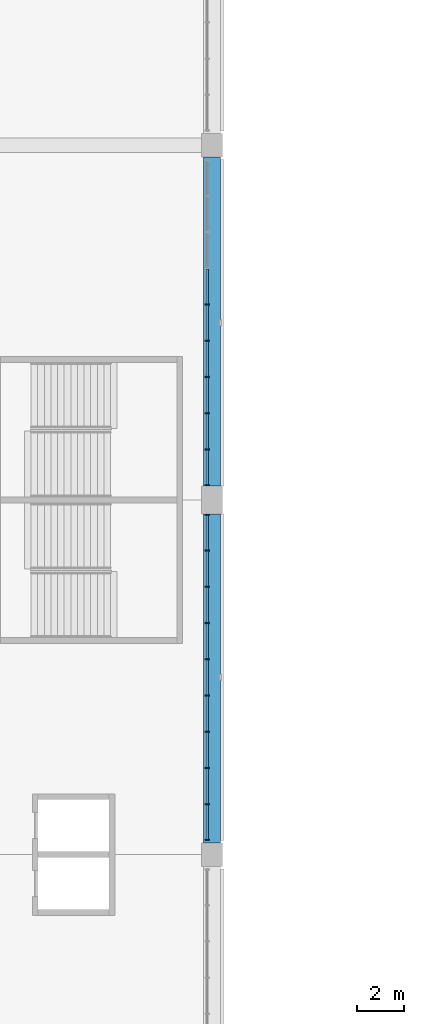
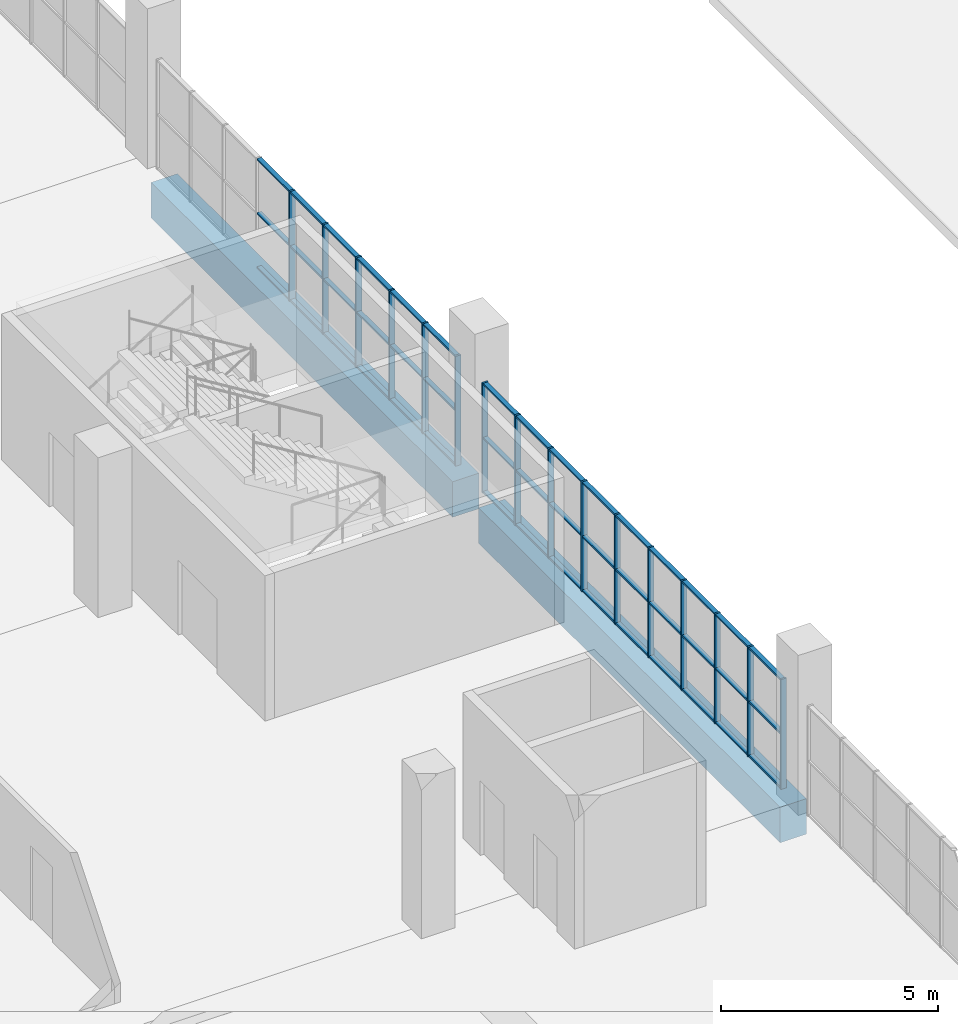
# One storey, part 32 of 199: 61 members, 2 beams, 2 elements without a shape of their own.
"""IFC4 building model written with IfcOpenShell, lengths in metres."""

from ifc_helpers import new_model, si_unit, direction, frame, origin, origin_2d, place, context, subcontext, project, spatial, rectangle, extrude, material, material_profile, profile_set, type_object, element, aggregate, save


model = new_model("IFC4")

# Units and contexts
model_context = context("Model", 3, precision=1e-05, world=origin(), true_north=direction((0.0, 1.0)))
body_context = subcontext(model_context, "Body", "Model", "MODEL_VIEW")
ifc_project = project(units=[si_unit("LENGTHUNIT", "METRE"), si_unit("AREAUNIT", "SQUARE_METRE"), si_unit("VOLUMEUNIT", "CUBIC_METRE"), si_unit("PLANEANGLEUNIT", "RADIAN"), si_unit("MASSUNIT", "GRAM", prefix="KILO")], contexts=[model_context])

# Site, building, storey
site_placement = place(None, origin())
site = spatial("IfcSite", under=ifc_project, at=site_placement, CompositionType="ELEMENT")
building_placement = place(site_placement, origin())
building = spatial("IfcBuilding", under=site, at=building_placement, Name="Ogive Plaza Stadium", CompositionType="ELEMENT")
storey_placement = place(building_placement, frame((0.0, 0.0, 4.5)))
storey = spatial("IfcBuildingStorey", under=building, at=storey_placement, Name="L01", CompositionType="ELEMENT", Elevation=4.5)

# Curtain wall, members
ifc_material_1 = material(Name="Bronze-anodised aluminium with laminated glass", Category="aluminium")
curtain_wall_type = type_object("IfcCurtainWallType", Name="Lancet curtain wall", PredefinedType="NOTDEFINED", material=ifc_material_1)
curtain_wall_1_placement = place(storey_placement, origin())
curtain_wall_1 = element("IfcCurtainWall", 1, at=curtain_wall_1_placement, inside=storey, type_object=curtain_wall_type, Name="CURTAIN WALL B03 L01", PredefinedType="NOTDEFINED")
ifc_material_2 = material(Name="Bronze-anodised aluminium", Category="aluminium")
ifc_material_profile_1 = material_profile(ifc_material_2, rectangle(XDim=0.14990234375, YDim=0.050048828125, at=origin_2d()), Name="AL 150x50")
ifc_profile_set_1 = profile_set([ifc_material_profile_1], Name="Bronze-anodised aluminium")
member_type_1 = type_object("IfcMemberType", Name="Curtain wall mullion 50x150", PredefinedType="MULLION", material=ifc_profile_set_1)
member_1_placement = place(storey_placement, frame((83.800048828125, 15.7666015625, 0.0), z_axis=(0.0, 0.0, 1.0), x_axis=(1.0, 0.0, 0.0)))
member_1 = element("IfcMember", 2, at=member_1_placement, type_object=member_type_1, Name="CW-B03-L01 mullion 5", PredefinedType="MULLION", context=body_context, shape_type="SweptSolid", body=[
    extrude(rectangle(XDim=0.14990234375, YDim=0.050048828125, at=origin_2d()), origin(), (0.0, 0.0, 1.0), 3.090087890625),
])
member_2_placement = place(storey_placement, frame((83.800048828125, 14.2333984375, 0.0), z_axis=(0.0, 0.0, 1.0), x_axis=(1.0, 0.0, 0.0)))
member_2 = element("IfcMember", 3, at=member_2_placement, type_object=member_type_1, Name="CW-B03-L01 mullion 6", PredefinedType="MULLION", context=body_context, shape_type="SweptSolid", body=[
    extrude(rectangle(XDim=0.14990234375, YDim=0.050048828125, at=origin_2d()), origin(), (0.0, 0.0, 1.0), 3.090087890625),
])
member_3_placement = place(storey_placement, frame((83.800048828125, 12.699951171875, 0.0), z_axis=(0.0, 0.0, 1.0), x_axis=(1.0, 0.0, 0.0)))
member_3 = element("IfcMember", 4, at=member_3_placement, type_object=member_type_1, Name="CW-B03-L01 mullion 7", PredefinedType="MULLION", context=body_context, shape_type="SweptSolid", body=[
    extrude(rectangle(XDim=0.14990234375, YDim=0.050048828125, at=origin_2d()), origin(), (0.0, 0.0, 1.0), 3.090087890625),
])
member_4_placement = place(storey_placement, frame((83.800048828125, 11.166748046875, 0.0), z_axis=(0.0, 0.0, 1.0), x_axis=(1.0, 0.0, 0.0)))
member_4 = element("IfcMember", 5, at=member_4_placement, type_object=member_type_1, Name="CW-B03-L01 mullion 8", PredefinedType="MULLION", context=body_context, shape_type="SweptSolid", body=[
    extrude(rectangle(XDim=0.14990234375, YDim=0.050048828125, at=origin_2d()), origin(), (0.0, 0.0, 1.0), 3.090087890625),
])
member_5_placement = place(storey_placement, frame((83.800048828125, 9.63330078125, 0.0), z_axis=(0.0, 0.0, 1.0), x_axis=(1.0, 0.0, 0.0)))
member_5 = element("IfcMember", 6, at=member_5_placement, type_object=member_type_1, Name="CW-B03-L01 mullion 9", PredefinedType="MULLION", context=body_context, shape_type="SweptSolid", body=[
    extrude(rectangle(XDim=0.14990234375, YDim=0.050048828125, at=origin_2d()), origin(), (0.0, 0.0, 1.0), 3.090087890625),
])
member_6_placement = place(storey_placement, frame((83.800048828125, 8.125, 0.0), z_axis=(0.0, 0.0, 1.0), x_axis=(1.0, 0.0, 0.0)))
member_6 = element("IfcMember", 7, at=member_6_placement, type_object=member_type_1, Name="CW-B03-L01 mullion 10", PredefinedType="MULLION", context=body_context, shape_type="SweptSolid", body=[
    extrude(rectangle(XDim=0.14990234375, YDim=0.050048828125, at=origin_2d()), origin(), (0.0, 0.0, 1.0), 3.090087890625),
])

curtain_wall_2_placement = place(storey_placement, origin())
curtain_wall_2 = element("IfcCurtainWall", 8, at=curtain_wall_2_placement, inside=storey, type_object=curtain_wall_type, Name="CURTAIN WALL B04 L01", PredefinedType="NOTDEFINED")
member_7_placement = place(storey_placement, frame((83.800048828125, 6.875, 0.0), z_axis=(0.0, 0.0, 1.0), x_axis=(1.0, 0.0, 0.0)))
member_7 = element("IfcMember", 9, at=member_7_placement, type_object=member_type_1, Name="CW-B04-L01 mullion 1", PredefinedType="MULLION", context=body_context, shape_type="SweptSolid", body=[
    extrude(rectangle(XDim=0.14990234375, YDim=0.050048828125, at=origin_2d()), origin(), (0.0, 0.0, 1.0), 3.090087890625),
])
member_8_placement = place(storey_placement, frame((83.800048828125, 5.36669921875, 0.0), z_axis=(0.0, 0.0, 1.0), x_axis=(1.0, 0.0, 0.0)))
member_8 = element("IfcMember", 10, at=member_8_placement, type_object=member_type_1, Name="CW-B04-L01 mullion 2", PredefinedType="MULLION", context=body_context, shape_type="SweptSolid", body=[
    extrude(rectangle(XDim=0.14990234375, YDim=0.050048828125, at=origin_2d()), origin(), (0.0, 0.0, 1.0), 3.090087890625),
])
member_9_placement = place(storey_placement, frame((83.800048828125, 3.833251953125, 0.0), z_axis=(0.0, 0.0, 1.0), x_axis=(1.0, 0.0, 0.0)))
member_9 = element("IfcMember", 11, at=member_9_placement, type_object=member_type_1, Name="CW-B04-L01 mullion 3", PredefinedType="MULLION", context=body_context, shape_type="SweptSolid", body=[
    extrude(rectangle(XDim=0.14990234375, YDim=0.050048828125, at=origin_2d()), origin(), (0.0, 0.0, 1.0), 3.090087890625),
])
member_10_placement = place(storey_placement, frame((83.800048828125, 2.300048828125, 0.0), z_axis=(0.0, 0.0, 1.0), x_axis=(1.0, 0.0, 0.0)))
member_10 = element("IfcMember", 12, at=member_10_placement, type_object=member_type_1, Name="CW-B04-L01 mullion 4", PredefinedType="MULLION", context=body_context, shape_type="SweptSolid", body=[
    extrude(rectangle(XDim=0.14990234375, YDim=0.050048828125, at=origin_2d()), origin(), (0.0, 0.0, 1.0), 3.090087890625),
])
member_11_placement = place(storey_placement, frame((83.800048828125, 0.7666015625, 0.0), z_axis=(0.0, 0.0, 1.0), x_axis=(1.0, 0.0, 0.0)))
member_11 = element("IfcMember", 13, at=member_11_placement, type_object=member_type_1, Name="CW-B04-L01 mullion 5", PredefinedType="MULLION", context=body_context, shape_type="SweptSolid", body=[
    extrude(rectangle(XDim=0.14990234375, YDim=0.050048828125, at=origin_2d()), origin(), (0.0, 0.0, 1.0), 3.090087890625),
])
member_12_placement = place(storey_placement, frame((83.800048828125, -0.7666015625, 0.0), z_axis=(0.0, 0.0, 1.0), x_axis=(1.0, 0.0, 0.0)))
member_12 = element("IfcMember", 14, at=member_12_placement, type_object=member_type_1, Name="CW-B04-L01 mullion 6", PredefinedType="MULLION", context=body_context, shape_type="SweptSolid", body=[
    extrude(rectangle(XDim=0.14990234375, YDim=0.050048828125, at=origin_2d()), origin(), (0.0, 0.0, 1.0), 3.090087890625),
])
member_13_placement = place(storey_placement, frame((83.800048828125, -2.300048828125, 0.0), z_axis=(0.0, 0.0, 1.0), x_axis=(1.0, 0.0, 0.0)))
member_13 = element("IfcMember", 15, at=member_13_placement, type_object=member_type_1, Name="CW-B04-L01 mullion 7", PredefinedType="MULLION", context=body_context, shape_type="SweptSolid", body=[
    extrude(rectangle(XDim=0.14990234375, YDim=0.050048828125, at=origin_2d()), origin(), (0.0, 0.0, 1.0), 3.090087890625),
])
member_14_placement = place(storey_placement, frame((83.800048828125, -3.833251953125, 0.0), z_axis=(0.0, 0.0, 1.0), x_axis=(1.0, 0.0, 0.0)))
member_14 = element("IfcMember", 16, at=member_14_placement, type_object=member_type_1, Name="CW-B04-L01 mullion 8", PredefinedType="MULLION", context=body_context, shape_type="SweptSolid", body=[
    extrude(rectangle(XDim=0.14990234375, YDim=0.050048828125, at=origin_2d()), origin(), (0.0, 0.0, 1.0), 3.090087890625),
])
member_15_placement = place(storey_placement, frame((83.800048828125, -5.36669921875, 0.0), z_axis=(0.0, 0.0, 1.0), x_axis=(1.0, 0.0, 0.0)))
member_15 = element("IfcMember", 17, at=member_15_placement, type_object=member_type_1, Name="CW-B04-L01 mullion 9", PredefinedType="MULLION", context=body_context, shape_type="SweptSolid", body=[
    extrude(rectangle(XDim=0.14990234375, YDim=0.050048828125, at=origin_2d()), origin(), (0.0, 0.0, 1.0), 3.090087890625),
])
member_16_placement = place(storey_placement, frame((83.800048828125, -6.875, 0.0), z_axis=(0.0, 0.0, 1.0), x_axis=(1.0, 0.0, 0.0)))
member_16 = element("IfcMember", 18, at=member_16_placement, type_object=member_type_1, Name="CW-B04-L01 mullion 10", PredefinedType="MULLION", context=body_context, shape_type="SweptSolid", body=[
    extrude(rectangle(XDim=0.14990234375, YDim=0.050048828125, at=origin_2d()), origin(), (0.0, 0.0, 1.0), 3.090087890625),
])

# Member
ifc_material_3 = material(Name="Bronze-anodised aluminium", Category="aluminium")
ifc_material_profile_2 = material_profile(ifc_material_3, rectangle(XDim=0.1201171875, YDim=0.050048828125, at=origin_2d()), Name="AL 120x50")
ifc_profile_set_2 = profile_set([ifc_material_profile_2], Name="Bronze-anodised aluminium")
member_type_2 = type_object("IfcMemberType", Name="Curtain wall transom 50x120", PredefinedType="USERDEFINED", material=ifc_profile_set_2)
member_17_placement = place(storey_placement, frame((83.800048828125, 17.27490234375, 0.02490234375), z_axis=(0.0, -1.0, 0.0), x_axis=(1.0, 0.0, 0.0)))
member_17 = element("IfcMember", 19, at=member_17_placement, type_object=member_type_2, Name="CW-B03-L01 transom 4.1", ObjectType="TRANSOM", PredefinedType="USERDEFINED", context=body_context, shape_type="SweptSolid", body=[
    extrude(rectangle(XDim=0.1201171875, YDim=0.050048828125, at=origin_2d()), origin(), (0.0, 0.0, 1.0), 1.483154296875),
])

member_18_placement = place(storey_placement, frame((83.800048828125, 17.27490234375, 1.544921875), z_axis=(0.0, -1.0, 0.0), x_axis=(1.0, 0.0, 0.0)))
member_18 = element("IfcMember", 20, at=member_18_placement, type_object=member_type_2, Name="CW-B03-L01 transom 4.2", ObjectType="TRANSOM", PredefinedType="USERDEFINED", context=body_context, shape_type="SweptSolid", body=[
    extrude(rectangle(XDim=0.1201171875, YDim=0.050048828125, at=origin_2d()), origin(), (0.0, 0.0, 1.0), 1.483154296875),
])

member_19_placement = place(storey_placement, frame((83.800048828125, 17.27490234375, 3.06494140625), z_axis=(0.0, -1.0, 0.0), x_axis=(1.0, 0.0, 0.0)))
member_19 = element("IfcMember", 21, at=member_19_placement, type_object=member_type_2, Name="CW-B03-L01 transom 4.3", ObjectType="TRANSOM", PredefinedType="USERDEFINED", context=body_context, shape_type="SweptSolid", body=[
    extrude(rectangle(XDim=0.1201171875, YDim=0.050048828125, at=origin_2d()), origin(), (0.0, 0.0, 1.0), 1.483154296875),
])

member_20_placement = place(storey_placement, frame((83.800048828125, 15.74169921875, 0.02490234375), z_axis=(0.0, -1.0, 0.0), x_axis=(1.0, 0.0, 0.0)))
member_20 = element("IfcMember", 22, at=member_20_placement, type_object=member_type_2, Name="CW-B03-L01 transom 5.1", ObjectType="TRANSOM", PredefinedType="USERDEFINED", context=body_context, shape_type="SweptSolid", body=[
    extrude(rectangle(XDim=0.1201171875, YDim=0.050048828125, at=origin_2d()), origin(), (0.0, 0.0, 1.0), 1.4833984375),
])

member_21_placement = place(storey_placement, frame((83.800048828125, 15.74169921875, 1.544921875), z_axis=(0.0, -1.0, 0.0), x_axis=(1.0, 0.0, 0.0)))
member_21 = element("IfcMember", 23, at=member_21_placement, type_object=member_type_2, Name="CW-B03-L01 transom 5.2", ObjectType="TRANSOM", PredefinedType="USERDEFINED", context=body_context, shape_type="SweptSolid", body=[
    extrude(rectangle(XDim=0.1201171875, YDim=0.050048828125, at=origin_2d()), origin(), (0.0, 0.0, 1.0), 1.4833984375),
])

member_22_placement = place(storey_placement, frame((83.800048828125, 15.74169921875, 3.06494140625), z_axis=(0.0, -1.0, 0.0), x_axis=(1.0, 0.0, 0.0)))
member_22 = element("IfcMember", 24, at=member_22_placement, type_object=member_type_2, Name="CW-B03-L01 transom 5.3", ObjectType="TRANSOM", PredefinedType="USERDEFINED", context=body_context, shape_type="SweptSolid", body=[
    extrude(rectangle(XDim=0.1201171875, YDim=0.050048828125, at=origin_2d()), origin(), (0.0, 0.0, 1.0), 1.4833984375),
])

member_23_placement = place(storey_placement, frame((83.800048828125, 14.208251953125, 0.02490234375), z_axis=(0.0, -1.0, 0.0), x_axis=(1.0, 0.0, 0.0)))
member_23 = element("IfcMember", 25, at=member_23_placement, type_object=member_type_2, Name="CW-B03-L01 transom 6.1", ObjectType="TRANSOM", PredefinedType="USERDEFINED", context=body_context, shape_type="SweptSolid", body=[
    extrude(rectangle(XDim=0.1201171875, YDim=0.050048828125, at=origin_2d()), origin(), (0.0, 0.0, 1.0), 1.483154296875),
])

member_24_placement = place(storey_placement, frame((83.800048828125, 14.208251953125, 1.544921875), z_axis=(0.0, -1.0, 0.0), x_axis=(1.0, 0.0, 0.0)))
member_24 = element("IfcMember", 26, at=member_24_placement, type_object=member_type_2, Name="CW-B03-L01 transom 6.2", ObjectType="TRANSOM", PredefinedType="USERDEFINED", context=body_context, shape_type="SweptSolid", body=[
    extrude(rectangle(XDim=0.1201171875, YDim=0.050048828125, at=origin_2d()), origin(), (0.0, 0.0, 1.0), 1.483154296875),
])

member_25_placement = place(storey_placement, frame((83.800048828125, 14.208251953125, 3.06494140625), z_axis=(0.0, -1.0, 0.0), x_axis=(1.0, 0.0, 0.0)))
member_25 = element("IfcMember", 27, at=member_25_placement, type_object=member_type_2, Name="CW-B03-L01 transom 6.3", ObjectType="TRANSOM", PredefinedType="USERDEFINED", context=body_context, shape_type="SweptSolid", body=[
    extrude(rectangle(XDim=0.1201171875, YDim=0.050048828125, at=origin_2d()), origin(), (0.0, 0.0, 1.0), 1.483154296875),
])

member_26_placement = place(storey_placement, frame((83.800048828125, 12.675048828125, 0.02490234375), z_axis=(0.0, -1.0, 0.0), x_axis=(1.0, 0.0, 0.0)))
member_26 = element("IfcMember", 28, at=member_26_placement, type_object=member_type_2, Name="CW-B03-L01 transom 7.1", ObjectType="TRANSOM", PredefinedType="USERDEFINED", context=body_context, shape_type="SweptSolid", body=[
    extrude(rectangle(XDim=0.1201171875, YDim=0.050048828125, at=origin_2d()), origin(), (0.0, 0.0, 1.0), 1.4833984375),
])

member_27_placement = place(storey_placement, frame((83.800048828125, 12.675048828125, 1.544921875), z_axis=(0.0, -1.0, 0.0), x_axis=(1.0, 0.0, 0.0)))
member_27 = element("IfcMember", 29, at=member_27_placement, type_object=member_type_2, Name="CW-B03-L01 transom 7.2", ObjectType="TRANSOM", PredefinedType="USERDEFINED", context=body_context, shape_type="SweptSolid", body=[
    extrude(rectangle(XDim=0.1201171875, YDim=0.050048828125, at=origin_2d()), origin(), (0.0, 0.0, 1.0), 1.4833984375),
])

member_28_placement = place(storey_placement, frame((83.800048828125, 12.675048828125, 3.06494140625), z_axis=(0.0, -1.0, 0.0), x_axis=(1.0, 0.0, 0.0)))
member_28 = element("IfcMember", 30, at=member_28_placement, type_object=member_type_2, Name="CW-B03-L01 transom 7.3", ObjectType="TRANSOM", PredefinedType="USERDEFINED", context=body_context, shape_type="SweptSolid", body=[
    extrude(rectangle(XDim=0.1201171875, YDim=0.050048828125, at=origin_2d()), origin(), (0.0, 0.0, 1.0), 1.4833984375),
])

member_29_placement = place(storey_placement, frame((83.800048828125, 11.1416015625, 0.02490234375), z_axis=(0.0, -1.0, 0.0), x_axis=(1.0, 0.0, 0.0)))
member_29 = element("IfcMember", 31, at=member_29_placement, type_object=member_type_2, Name="CW-B03-L01 transom 8.1", ObjectType="TRANSOM", PredefinedType="USERDEFINED", context=body_context, shape_type="SweptSolid", body=[
    extrude(rectangle(XDim=0.1201171875, YDim=0.050048828125, at=origin_2d()), origin(), (0.0, 0.0, 1.0), 1.483154296875),
])

member_30_placement = place(storey_placement, frame((83.800048828125, 11.1416015625, 1.544921875), z_axis=(0.0, -1.0, 0.0), x_axis=(1.0, 0.0, 0.0)))
member_30 = element("IfcMember", 32, at=member_30_placement, type_object=member_type_2, Name="CW-B03-L01 transom 8.2", ObjectType="TRANSOM", PredefinedType="USERDEFINED", context=body_context, shape_type="SweptSolid", body=[
    extrude(rectangle(XDim=0.1201171875, YDim=0.050048828125, at=origin_2d()), origin(), (0.0, 0.0, 1.0), 1.483154296875),
])

member_31_placement = place(storey_placement, frame((83.800048828125, 11.1416015625, 3.06494140625), z_axis=(0.0, -1.0, 0.0), x_axis=(1.0, 0.0, 0.0)))
member_31 = element("IfcMember", 33, at=member_31_placement, type_object=member_type_2, Name="CW-B03-L01 transom 8.3", ObjectType="TRANSOM", PredefinedType="USERDEFINED", context=body_context, shape_type="SweptSolid", body=[
    extrude(rectangle(XDim=0.1201171875, YDim=0.050048828125, at=origin_2d()), origin(), (0.0, 0.0, 1.0), 1.483154296875),
])

member_32_placement = place(storey_placement, frame((83.800048828125, 9.6083984375, 0.02490234375), z_axis=(0.0, -1.0, 0.0), x_axis=(1.0, 0.0, 0.0)))
member_32 = element("IfcMember", 34, at=member_32_placement, type_object=member_type_2, Name="CW-B03-L01 transom 9.1", ObjectType="TRANSOM", PredefinedType="USERDEFINED", context=body_context, shape_type="SweptSolid", body=[
    extrude(rectangle(XDim=0.1201171875, YDim=0.050048828125, at=origin_2d()), origin(), (0.0, 0.0, 1.0), 1.45849609375),
])

member_33_placement = place(storey_placement, frame((83.800048828125, 9.6083984375, 1.544921875), z_axis=(0.0, -1.0, 0.0), x_axis=(1.0, 0.0, 0.0)))
member_33 = element("IfcMember", 35, at=member_33_placement, type_object=member_type_2, Name="CW-B03-L01 transom 9.2", ObjectType="TRANSOM", PredefinedType="USERDEFINED", context=body_context, shape_type="SweptSolid", body=[
    extrude(rectangle(XDim=0.1201171875, YDim=0.050048828125, at=origin_2d()), origin(), (0.0, 0.0, 1.0), 1.45849609375),
])

member_34_placement = place(storey_placement, frame((83.800048828125, 9.6083984375, 3.06494140625), z_axis=(0.0, -1.0, 0.0), x_axis=(1.0, 0.0, 0.0)))
member_34 = element("IfcMember", 36, at=member_34_placement, type_object=member_type_2, Name="CW-B03-L01 transom 9.3", ObjectType="TRANSOM", PredefinedType="USERDEFINED", context=body_context, shape_type="SweptSolid", body=[
    extrude(rectangle(XDim=0.1201171875, YDim=0.050048828125, at=origin_2d()), origin(), (0.0, 0.0, 1.0), 1.45849609375),
])

aggregate(curtain_wall_1, [member_1, member_2, member_3, member_4, member_5, member_6, member_17, member_18, member_19, member_20, member_21, member_22, member_23, member_24, member_25, member_26, member_27, member_28, member_29, member_30, member_31, member_32, member_33, member_34])

member_35_placement = place(storey_placement, frame((83.800048828125, 6.85009765625, 0.02490234375), z_axis=(0.0, -1.0, 0.0), x_axis=(1.0, 0.0, 0.0)))
member_35 = element("IfcMember", 37, at=member_35_placement, type_object=member_type_2, Name="CW-B04-L01 transom 1.1", ObjectType="TRANSOM", PredefinedType="USERDEFINED", context=body_context, shape_type="SweptSolid", body=[
    extrude(rectangle(XDim=0.1201171875, YDim=0.050048828125, at=origin_2d()), origin(), (0.0, 0.0, 1.0), 1.45849609375),
])

member_36_placement = place(storey_placement, frame((83.800048828125, 6.85009765625, 1.544921875), z_axis=(0.0, -1.0, 0.0), x_axis=(1.0, 0.0, 0.0)))
member_36 = element("IfcMember", 38, at=member_36_placement, type_object=member_type_2, Name="CW-B04-L01 transom 1.2", ObjectType="TRANSOM", PredefinedType="USERDEFINED", context=body_context, shape_type="SweptSolid", body=[
    extrude(rectangle(XDim=0.1201171875, YDim=0.050048828125, at=origin_2d()), origin(), (0.0, 0.0, 1.0), 1.45849609375),
])

member_37_placement = place(storey_placement, frame((83.800048828125, 6.85009765625, 3.06494140625), z_axis=(0.0, -1.0, 0.0), x_axis=(1.0, 0.0, 0.0)))
member_37 = element("IfcMember", 39, at=member_37_placement, type_object=member_type_2, Name="CW-B04-L01 transom 1.3", ObjectType="TRANSOM", PredefinedType="USERDEFINED", context=body_context, shape_type="SweptSolid", body=[
    extrude(rectangle(XDim=0.1201171875, YDim=0.050048828125, at=origin_2d()), origin(), (0.0, 0.0, 1.0), 1.45849609375),
])

member_38_placement = place(storey_placement, frame((83.800048828125, 5.341552734375, 0.02490234375), z_axis=(0.0, -1.0, 0.0), x_axis=(1.0, 0.0, 0.0)))
member_38 = element("IfcMember", 40, at=member_38_placement, type_object=member_type_2, Name="CW-B04-L01 transom 2.1", ObjectType="TRANSOM", PredefinedType="USERDEFINED", context=body_context, shape_type="SweptSolid", body=[
    extrude(rectangle(XDim=0.1201171875, YDim=0.050048828125, at=origin_2d()), origin(), (0.0, 0.0, 1.0), 1.483154296875),
])

member_39_placement = place(storey_placement, frame((83.800048828125, 5.341552734375, 1.544921875), z_axis=(0.0, -1.0, 0.0), x_axis=(1.0, 0.0, 0.0)))
member_39 = element("IfcMember", 41, at=member_39_placement, type_object=member_type_2, Name="CW-B04-L01 transom 2.2", ObjectType="TRANSOM", PredefinedType="USERDEFINED", context=body_context, shape_type="SweptSolid", body=[
    extrude(rectangle(XDim=0.1201171875, YDim=0.050048828125, at=origin_2d()), origin(), (0.0, 0.0, 1.0), 1.483154296875),
])

member_40_placement = place(storey_placement, frame((83.800048828125, 5.341552734375, 3.06494140625), z_axis=(0.0, -1.0, 0.0), x_axis=(1.0, 0.0, 0.0)))
member_40 = element("IfcMember", 42, at=member_40_placement, type_object=member_type_2, Name="CW-B04-L01 transom 2.3", ObjectType="TRANSOM", PredefinedType="USERDEFINED", context=body_context, shape_type="SweptSolid", body=[
    extrude(rectangle(XDim=0.1201171875, YDim=0.050048828125, at=origin_2d()), origin(), (0.0, 0.0, 1.0), 1.483154296875),
])

member_41_placement = place(storey_placement, frame((83.800048828125, 3.808349609375, 0.02490234375), z_axis=(0.0, -1.0, 0.0), x_axis=(1.0, 0.0, 0.0)))
member_41 = element("IfcMember", 43, at=member_41_placement, type_object=member_type_2, Name="CW-B04-L01 transom 3.1", ObjectType="TRANSOM", PredefinedType="USERDEFINED", context=body_context, shape_type="SweptSolid", body=[
    extrude(rectangle(XDim=0.1201171875, YDim=0.050048828125, at=origin_2d()), origin(), (0.0, 0.0, 1.0), 1.4833984375),
])

member_42_placement = place(storey_placement, frame((83.800048828125, 3.808349609375, 1.544921875), z_axis=(0.0, -1.0, 0.0), x_axis=(1.0, 0.0, 0.0)))
member_42 = element("IfcMember", 44, at=member_42_placement, type_object=member_type_2, Name="CW-B04-L01 transom 3.2", ObjectType="TRANSOM", PredefinedType="USERDEFINED", context=body_context, shape_type="SweptSolid", body=[
    extrude(rectangle(XDim=0.1201171875, YDim=0.050048828125, at=origin_2d()), origin(), (0.0, 0.0, 1.0), 1.4833984375),
])

member_43_placement = place(storey_placement, frame((83.800048828125, 3.808349609375, 3.06494140625), z_axis=(0.0, -1.0, 0.0), x_axis=(1.0, 0.0, 0.0)))
member_43 = element("IfcMember", 45, at=member_43_placement, type_object=member_type_2, Name="CW-B04-L01 transom 3.3", ObjectType="TRANSOM", PredefinedType="USERDEFINED", context=body_context, shape_type="SweptSolid", body=[
    extrude(rectangle(XDim=0.1201171875, YDim=0.050048828125, at=origin_2d()), origin(), (0.0, 0.0, 1.0), 1.4833984375),
])

member_44_placement = place(storey_placement, frame((83.800048828125, 2.27490234375, 0.02490234375), z_axis=(0.0, -1.0, 0.0), x_axis=(1.0, 0.0, 0.0)))
member_44 = element("IfcMember", 46, at=member_44_placement, type_object=member_type_2, Name="CW-B04-L01 transom 4.1", ObjectType="TRANSOM", PredefinedType="USERDEFINED", context=body_context, shape_type="SweptSolid", body=[
    extrude(rectangle(XDim=0.1201171875, YDim=0.050048828125, at=origin_2d()), origin(), (0.0, 0.0, 1.0), 1.483154296875),
])

member_45_placement = place(storey_placement, frame((83.800048828125, 2.27490234375, 1.544921875), z_axis=(0.0, -1.0, 0.0), x_axis=(1.0, 0.0, 0.0)))
member_45 = element("IfcMember", 47, at=member_45_placement, type_object=member_type_2, Name="CW-B04-L01 transom 4.2", ObjectType="TRANSOM", PredefinedType="USERDEFINED", context=body_context, shape_type="SweptSolid", body=[
    extrude(rectangle(XDim=0.1201171875, YDim=0.050048828125, at=origin_2d()), origin(), (0.0, 0.0, 1.0), 1.483154296875),
])

member_46_placement = place(storey_placement, frame((83.800048828125, 2.27490234375, 3.06494140625), z_axis=(0.0, -1.0, 0.0), x_axis=(1.0, 0.0, 0.0)))
member_46 = element("IfcMember", 48, at=member_46_placement, type_object=member_type_2, Name="CW-B04-L01 transom 4.3", ObjectType="TRANSOM", PredefinedType="USERDEFINED", context=body_context, shape_type="SweptSolid", body=[
    extrude(rectangle(XDim=0.1201171875, YDim=0.050048828125, at=origin_2d()), origin(), (0.0, 0.0, 1.0), 1.483154296875),
])

member_47_placement = place(storey_placement, frame((83.800048828125, 0.74169921875, 0.02490234375), z_axis=(0.0, -1.0, 0.0), x_axis=(1.0, 0.0, 0.0)))
member_47 = element("IfcMember", 49, at=member_47_placement, type_object=member_type_2, Name="CW-B04-L01 transom 5.1", ObjectType="TRANSOM", PredefinedType="USERDEFINED", context=body_context, shape_type="SweptSolid", body=[
    extrude(rectangle(XDim=0.1201171875, YDim=0.050048828125, at=origin_2d()), origin(), (0.0, 0.0, 1.0), 1.4833984375),
])

member_48_placement = place(storey_placement, frame((83.800048828125, 0.74169921875, 1.544921875), z_axis=(0.0, -1.0, 0.0), x_axis=(1.0, 0.0, 0.0)))
member_48 = element("IfcMember", 50, at=member_48_placement, type_object=member_type_2, Name="CW-B04-L01 transom 5.2", ObjectType="TRANSOM", PredefinedType="USERDEFINED", context=body_context, shape_type="SweptSolid", body=[
    extrude(rectangle(XDim=0.1201171875, YDim=0.050048828125, at=origin_2d()), origin(), (0.0, 0.0, 1.0), 1.4833984375),
])

member_49_placement = place(storey_placement, frame((83.800048828125, 0.74169921875, 3.06494140625), z_axis=(0.0, -1.0, 0.0), x_axis=(1.0, 0.0, 0.0)))
member_49 = element("IfcMember", 51, at=member_49_placement, type_object=member_type_2, Name="CW-B04-L01 transom 5.3", ObjectType="TRANSOM", PredefinedType="USERDEFINED", context=body_context, shape_type="SweptSolid", body=[
    extrude(rectangle(XDim=0.1201171875, YDim=0.050048828125, at=origin_2d()), origin(), (0.0, 0.0, 1.0), 1.4833984375),
])

member_50_placement = place(storey_placement, frame((83.800048828125, -0.791748046875, 0.02490234375), z_axis=(0.0, -1.0, 0.0), x_axis=(1.0, 0.0, 0.0)))
member_50 = element("IfcMember", 52, at=member_50_placement, type_object=member_type_2, Name="CW-B04-L01 transom 6.1", ObjectType="TRANSOM", PredefinedType="USERDEFINED", context=body_context, shape_type="SweptSolid", body=[
    extrude(rectangle(XDim=0.1201171875, YDim=0.050048828125, at=origin_2d()), origin(), (0.0, 0.0, 1.0), 1.483154296875),
])

member_51_placement = place(storey_placement, frame((83.800048828125, -0.791748046875, 1.544921875), z_axis=(0.0, -1.0, 0.0), x_axis=(1.0, 0.0, 0.0)))
member_51 = element("IfcMember", 53, at=member_51_placement, type_object=member_type_2, Name="CW-B04-L01 transom 6.2", ObjectType="TRANSOM", PredefinedType="USERDEFINED", context=body_context, shape_type="SweptSolid", body=[
    extrude(rectangle(XDim=0.1201171875, YDim=0.050048828125, at=origin_2d()), origin(), (0.0, 0.0, 1.0), 1.483154296875),
])

member_52_placement = place(storey_placement, frame((83.800048828125, -0.791748046875, 3.06494140625), z_axis=(0.0, -1.0, 0.0), x_axis=(1.0, 0.0, 0.0)))
member_52 = element("IfcMember", 54, at=member_52_placement, type_object=member_type_2, Name="CW-B04-L01 transom 6.3", ObjectType="TRANSOM", PredefinedType="USERDEFINED", context=body_context, shape_type="SweptSolid", body=[
    extrude(rectangle(XDim=0.1201171875, YDim=0.050048828125, at=origin_2d()), origin(), (0.0, 0.0, 1.0), 1.483154296875),
])

member_53_placement = place(storey_placement, frame((83.800048828125, -2.324951171875, 0.02490234375), z_axis=(0.0, -1.0, 0.0), x_axis=(1.0, 0.0, 0.0)))
member_53 = element("IfcMember", 55, at=member_53_placement, type_object=member_type_2, Name="CW-B04-L01 transom 7.1", ObjectType="TRANSOM", PredefinedType="USERDEFINED", context=body_context, shape_type="SweptSolid", body=[
    extrude(rectangle(XDim=0.1201171875, YDim=0.050048828125, at=origin_2d()), origin(), (0.0, 0.0, 1.0), 1.4833984375),
])

member_54_placement = place(storey_placement, frame((83.800048828125, -2.324951171875, 1.544921875), z_axis=(0.0, -1.0, 0.0), x_axis=(1.0, 0.0, 0.0)))
member_54 = element("IfcMember", 56, at=member_54_placement, type_object=member_type_2, Name="CW-B04-L01 transom 7.2", ObjectType="TRANSOM", PredefinedType="USERDEFINED", context=body_context, shape_type="SweptSolid", body=[
    extrude(rectangle(XDim=0.1201171875, YDim=0.050048828125, at=origin_2d()), origin(), (0.0, 0.0, 1.0), 1.4833984375),
])

member_55_placement = place(storey_placement, frame((83.800048828125, -2.324951171875, 3.06494140625), z_axis=(0.0, -1.0, 0.0), x_axis=(1.0, 0.0, 0.0)))
member_55 = element("IfcMember", 57, at=member_55_placement, type_object=member_type_2, Name="CW-B04-L01 transom 7.3", ObjectType="TRANSOM", PredefinedType="USERDEFINED", context=body_context, shape_type="SweptSolid", body=[
    extrude(rectangle(XDim=0.1201171875, YDim=0.050048828125, at=origin_2d()), origin(), (0.0, 0.0, 1.0), 1.4833984375),
])

member_56_placement = place(storey_placement, frame((83.800048828125, -3.8583984375, 0.02490234375), z_axis=(0.0, -1.0, 0.0), x_axis=(1.0, 0.0, 0.0)))
member_56 = element("IfcMember", 58, at=member_56_placement, type_object=member_type_2, Name="CW-B04-L01 transom 8.1", ObjectType="TRANSOM", PredefinedType="USERDEFINED", context=body_context, shape_type="SweptSolid", body=[
    extrude(rectangle(XDim=0.1201171875, YDim=0.050048828125, at=origin_2d()), origin(), (0.0, 0.0, 1.0), 1.483154296875),
])

member_57_placement = place(storey_placement, frame((83.800048828125, -3.8583984375, 1.544921875), z_axis=(0.0, -1.0, 0.0), x_axis=(1.0, 0.0, 0.0)))
member_57 = element("IfcMember", 59, at=member_57_placement, type_object=member_type_2, Name="CW-B04-L01 transom 8.2", ObjectType="TRANSOM", PredefinedType="USERDEFINED", context=body_context, shape_type="SweptSolid", body=[
    extrude(rectangle(XDim=0.1201171875, YDim=0.050048828125, at=origin_2d()), origin(), (0.0, 0.0, 1.0), 1.483154296875),
])

member_58_placement = place(storey_placement, frame((83.800048828125, -3.8583984375, 3.06494140625), z_axis=(0.0, -1.0, 0.0), x_axis=(1.0, 0.0, 0.0)))
member_58 = element("IfcMember", 60, at=member_58_placement, type_object=member_type_2, Name="CW-B04-L01 transom 8.3", ObjectType="TRANSOM", PredefinedType="USERDEFINED", context=body_context, shape_type="SweptSolid", body=[
    extrude(rectangle(XDim=0.1201171875, YDim=0.050048828125, at=origin_2d()), origin(), (0.0, 0.0, 1.0), 1.483154296875),
])

member_59_placement = place(storey_placement, frame((83.800048828125, -5.3916015625, 0.02490234375), z_axis=(0.0, -1.0, 0.0), x_axis=(1.0, 0.0, 0.0)))
member_59 = element("IfcMember", 61, at=member_59_placement, type_object=member_type_2, Name="CW-B04-L01 transom 9.1", ObjectType="TRANSOM", PredefinedType="USERDEFINED", context=body_context, shape_type="SweptSolid", body=[
    extrude(rectangle(XDim=0.1201171875, YDim=0.050048828125, at=origin_2d()), origin(), (0.0, 0.0, 1.0), 1.45849609375),
])

member_60_placement = place(storey_placement, frame((83.800048828125, -5.3916015625, 1.544921875), z_axis=(0.0, -1.0, 0.0), x_axis=(1.0, 0.0, 0.0)))
member_60 = element("IfcMember", 62, at=member_60_placement, type_object=member_type_2, Name="CW-B04-L01 transom 9.2", ObjectType="TRANSOM", PredefinedType="USERDEFINED", context=body_context, shape_type="SweptSolid", body=[
    extrude(rectangle(XDim=0.1201171875, YDim=0.050048828125, at=origin_2d()), origin(), (0.0, 0.0, 1.0), 1.45849609375),
])

member_61_placement = place(storey_placement, frame((83.800048828125, -5.3916015625, 3.06494140625), z_axis=(0.0, -1.0, 0.0), x_axis=(1.0, 0.0, 0.0)))
member_61 = element("IfcMember", 63, at=member_61_placement, type_object=member_type_2, Name="CW-B04-L01 transom 9.3", ObjectType="TRANSOM", PredefinedType="USERDEFINED", context=body_context, shape_type="SweptSolid", body=[
    extrude(rectangle(XDim=0.1201171875, YDim=0.050048828125, at=origin_2d()), origin(), (0.0, 0.0, 1.0), 1.45849609375),
])

aggregate(curtain_wall_2, [member_7, member_8, member_9, member_10, member_11, member_12, member_13, member_14, member_15, member_16, member_35, member_36, member_37, member_38, member_39, member_40, member_41, member_42, member_43, member_44, member_45, member_46, member_47, member_48, member_49, member_50, member_51, member_52, member_53, member_54, member_55, member_56, member_57, member_58, member_59, member_60, member_61])

# Beams
ifc_material_4 = material(Name="Concrete C40/50", Category="concrete")
ifc_material_profile_3 = material_profile(ifc_material_4, rectangle(XDim=0.699951171875, YDim=1.0, at=origin_2d()), Name="RC 700x1000")
ifc_profile_set_3 = profile_set([ifc_material_profile_3], Name="Concrete C40/50")
beam_type = type_object("IfcBeamType", Name="RC spandrel beam 700x1000", PredefinedType="SPANDREL", material=ifc_profile_set_3)
for number, where, z_axis, x_axis, name in (
    (64, (84.0, 22.0, -0.909912109375), (0.0, -1.0, 0.0), (1.0, 0.0, 0.0), "Ring beam F5 L01 B03"),
    (65, (84.0, 6.89990234375, -0.909912109375), (0.0, -1.0, 0.0), (1.0, 0.0, 0.0), "Ring beam F5 L01 B04"),
):
    element("IfcBeam", number, at=place(storey_placement, frame(where, z_axis=z_axis, x_axis=x_axis)), inside=storey, type_object=beam_type, Name=name, PredefinedType="SPANDREL", context=body_context, shape_type="SweptSolid", body=[
        extrude(rectangle(XDim=0.699951171875, YDim=1.0, at=origin_2d()), origin(), (0.0, 0.0, 1.0), 13.89990234375),
    ])

save(model, "model.ifc")
